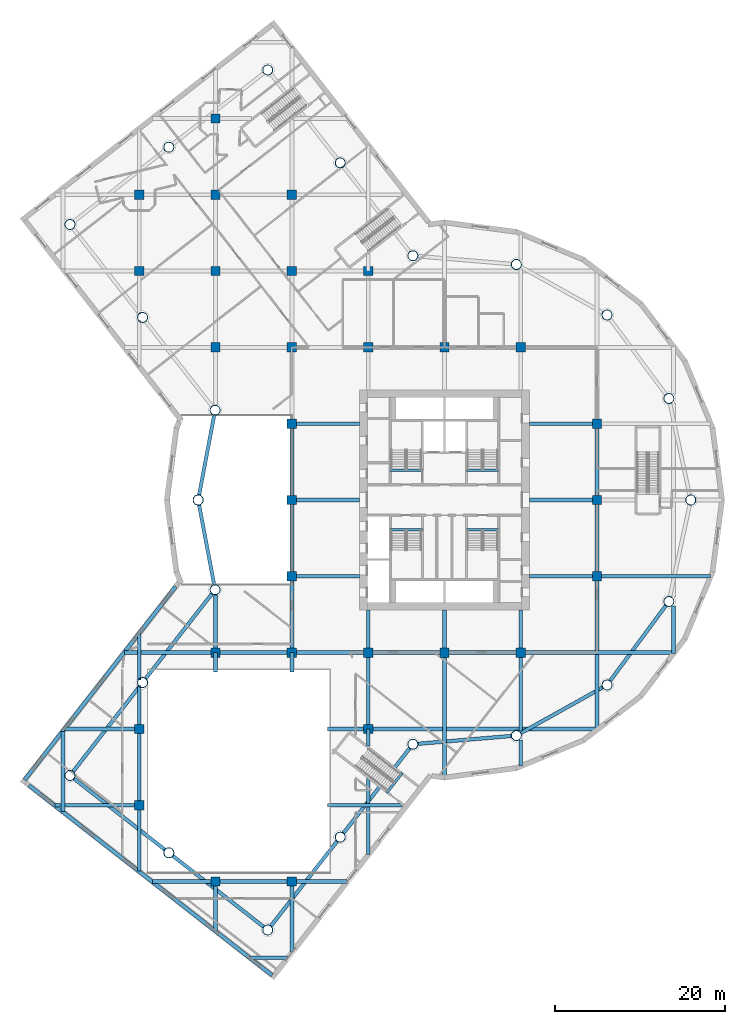
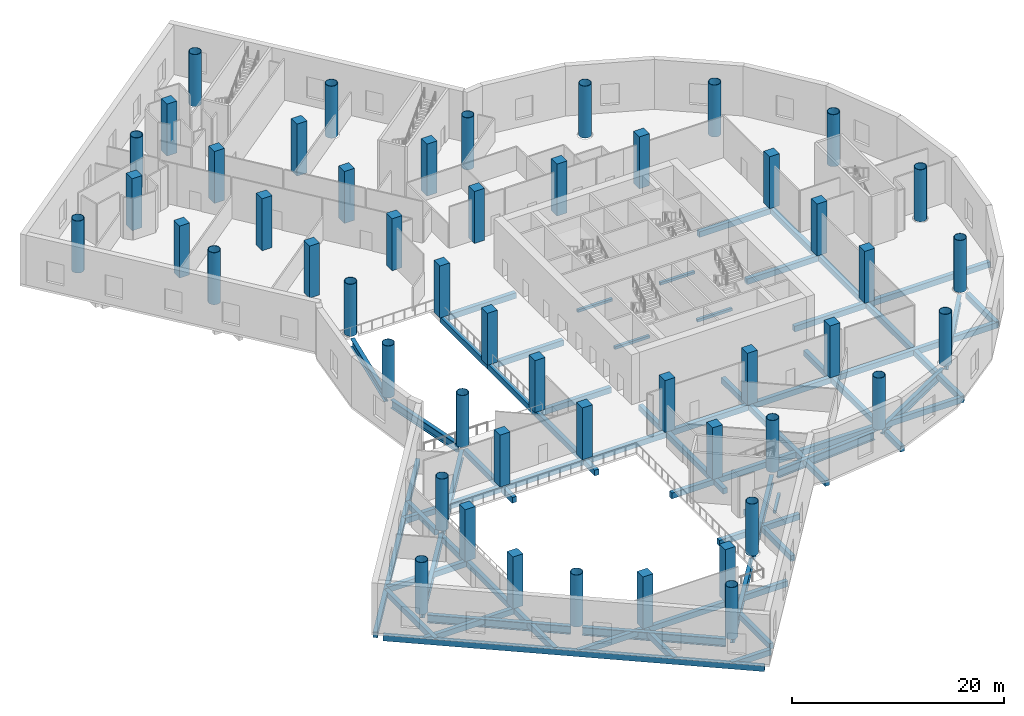
# One storey, part 1 of 24: 66 beams, 51 columns.
"""IFC4 building model written with IfcOpenShell, lengths in metres."""

from ifc_helpers import new_model, si_unit, direction, frame, origin, origin_2d, place, context, subcontext, project, spatial, rectangle, hollow_circle, i_section, extrude, material, material_profile, profile_set, type_object, element, save


model = new_model("IFC4")

# Units and contexts
model_context = context("Model", 3, precision=1e-05, world=origin(), true_north=direction((0.0, 1.0)))
body_context = subcontext(model_context, "Body", "Model", "MODEL_VIEW")
ifc_project = project(units=[si_unit("LENGTHUNIT", "METRE"), si_unit("AREAUNIT", "SQUARE_METRE"), si_unit("VOLUMEUNIT", "CUBIC_METRE"), si_unit("PLANEANGLEUNIT", "RADIAN"), si_unit("MASSUNIT", "GRAM", prefix="KILO")], contexts=[model_context])

# Site, building, storey
site_placement = place(None, origin())
site = spatial("IfcSite", under=ifc_project, at=site_placement, CompositionType="ELEMENT")
building_placement = place(site_placement, origin())
building = spatial("IfcBuilding", under=site, at=building_placement, Name="Tarsis Ring Headquarters", CompositionType="ELEMENT")
storey_placement = place(building_placement, frame((0.0, 0.0, 8.0)))
storey = spatial("IfcBuildingStorey", under=building, at=storey_placement, Name="L01", CompositionType="ELEMENT", Elevation=8.0)

# Columns
ifc_material_1 = material(Name="Concrete C60/75", Category="concrete")
ifc_material_profile_1 = material_profile(ifc_material_1, rectangle(XDim=1.10009765625, YDim=1.10009765625, at=origin_2d()), Name="PO-C1100")
ifc_profile_set_1 = profile_set([ifc_material_profile_1], Name="Concrete C60/75")
column_type_1 = type_object("IfcColumnType", Name="PO-C1100", PredefinedType="COLUMN", material=ifc_profile_set_1)
for number, where, z_axis, x_axis, name in (
    (1, (-36.0, -36.0, 0.0), (0.0, 0.0, 1.0), (1.0, 0.0, 0.0), "L01 column 1"),
    (2, (-36.0, -27.0, 0.0), (0.0, 0.0, 1.0), (1.0, 0.0, 0.0), "L01 column 2"),
    (3, (-36.0, 27.0, 0.0), (0.0, 0.0, 1.0), (1.0, 0.0, 0.0), "L01 column 3"),
    (4, (-36.0, 36.0, 0.0), (0.0, 0.0, 1.0), (1.0, 0.0, 0.0), "L01 column 4"),
    (5, (-27.0, -45.0, 0.0), (0.0, 0.0, 1.0), (1.0, 0.0, 0.0), "L01 column 5"),
    (6, (-27.0, -18.0, 0.0), (0.0, 0.0, 1.0), (1.0, 0.0, 0.0), "L01 column 6"),
    (7, (-27.0, 18.0, 0.0), (0.0, 0.0, 1.0), (1.0, 0.0, 0.0), "L01 column 7"),
    (8, (-27.0, 27.0, 0.0), (0.0, 0.0, 1.0), (1.0, 0.0, 0.0), "L01 column 8"),
    (9, (-27.0, 36.0, 0.0), (0.0, 0.0, 1.0), (1.0, 0.0, 0.0), "L01 column 9"),
    (10, (-27.0, 45.0, 0.0), (0.0, 0.0, 1.0), (1.0, 0.0, 0.0), "L01 column 10"),
    (11, (-18.0, -45.0, 0.0), (0.0, 0.0, 1.0), (1.0, 0.0, 0.0), "L01 column 11"),
    (12, (-18.0, -18.0, 0.0), (0.0, 0.0, 1.0), (1.0, 0.0, 0.0), "L01 column 12"),
    (13, (-18.0, -9.0, 0.0), (0.0, 0.0, 1.0), (1.0, 0.0, 0.0), "L01 column 13"),
    (14, (-18.0, 0.0, 0.0), (0.0, 0.0, 1.0), (1.0, 0.0, 0.0), "L01 column 14"),
    (15, (-18.0, 9.0, 0.0), (0.0, 0.0, 1.0), (1.0, 0.0, 0.0), "L01 column 15"),
    (16, (-18.0, 18.0, 0.0), (0.0, 0.0, 1.0), (1.0, 0.0, 0.0), "L01 column 16"),
    (17, (-18.0, 27.0, 0.0), (0.0, 0.0, 1.0), (1.0, 0.0, 0.0), "L01 column 17"),
    (18, (-18.0, 36.0, 0.0), (0.0, 0.0, 1.0), (1.0, 0.0, 0.0), "L01 column 18"),
    (19, (-9.0, -27.0, 0.0), (0.0, 0.0, 1.0), (1.0, 0.0, 0.0), "L01 column 19"),
    (20, (-9.0, -18.0, 0.0), (0.0, 0.0, 1.0), (1.0, 0.0, 0.0), "L01 column 20"),
    (21, (-9.0, 18.0, 0.0), (0.0, 0.0, 1.0), (1.0, 0.0, 0.0), "L01 column 21"),
    (22, (-9.0, 27.0, 0.0), (0.0, 0.0, 1.0), (1.0, 0.0, 0.0), "L01 column 22"),
    (23, (0.0, -18.0, 0.0), (0.0, 0.0, 1.0), (1.0, 0.0, 0.0), "L01 column 23"),
    (24, (0.0, 18.0, 0.0), (0.0, 0.0, 1.0), (1.0, 0.0, 0.0), "L01 column 24"),
    (25, (9.0, -18.0, 0.0), (0.0, 0.0, 1.0), (1.0, 0.0, 0.0), "L01 column 25"),
    (26, (9.0, 18.0, 0.0), (0.0, 0.0, 1.0), (1.0, 0.0, 0.0), "L01 column 26"),
    (27, (18.0, -9.0, 0.0), (0.0, 0.0, 1.0), (1.0, 0.0, 0.0), "L01 column 27"),
    (28, (18.0, 0.0, 0.0), (0.0, 0.0, 1.0), (1.0, 0.0, 0.0), "L01 column 28"),
    (29, (18.0, 9.0, 0.0), (0.0, 0.0, 1.0), (1.0, 0.0, 0.0), "L01 column 29"),
):
    element("IfcColumn", number, at=place(storey_placement, frame(where, z_axis=z_axis, x_axis=x_axis)), inside=storey, type_object=column_type_1, Name=name, PredefinedType="COLUMN", context=body_context, shape_type="SweptSolid", body=[
        extrude(rectangle(XDim=1.10009765625, YDim=1.10009765625, at=origin_2d()), origin(), (0.0, 0.0, 1.0), 6.0),
    ])
ifc_material_2 = material(Name="Structural steel S460", Category="steel")
ifc_material_profile_2 = material_profile(ifc_material_2, hollow_circle(Radius=0.609619140625, WallThickness=0.050048828125, at=origin_2d()), Name="CHS 1219x50")
ifc_profile_set_2 = profile_set([ifc_material_profile_2], Name="Structural steel S460")
column_type_2 = type_object("IfcColumnType", Name="XC Exo column CHS 1219x50", PredefinedType="COLUMN", material=ifc_profile_set_2)
for number, where, z_axis, x_axis, name in (
    (30, (-29.048583984375, 0.0, 0.000244140625), (0.0, 0.0, 1.0), (1.0, 0.0, 0.0), "Exo column XC1 F1"),
    (31, (-27.05126953125, -10.5849609375, 0.000244140625), (0.0, 0.0, 1.0), (1.0, 0.0, 0.0), "Exo column XC1 AK"),
    (32, (-35.6103515625, -21.5400390625, 0.000244140625), (0.0, 0.0, 1.0), (1.0, 0.0, 0.0), "Exo column XC1 AI1"),
    (33, (-44.16943359375, -32.4951171875, 0.000244140625), (0.0, 0.0, 1.0), (1.0, 0.0, 0.0), "Exo column XC1 AT1"),
    (34, (-32.5068359375, -41.60693359375, 0.000244140625), (0.0, 0.0, 1.0), (1.0, 0.0, 0.0), "Exo column XC1 AT2"),
    (35, (-20.844482421875, -50.71875, 0.000244140625), (0.0, 0.0, 1.0), (1.0, 0.0, 0.0), "Exo column XC1 AT3"),
    (36, (-12.285400390625, -39.763671875, 0.000244140625), (0.0, 0.0, 1.0), (1.0, 0.0, 0.0), "Exo column XC1 AO1"),
    (37, (-3.726318359375, -28.80859375, 0.000244140625), (0.0, 0.0, 1.0), (1.0, 0.0, 0.0), "Exo column XC1 AJ"),
    (38, (8.479736328125, -27.783203125, 0.000244140625), (0.0, 0.0, 1.0), (1.0, 0.0, 0.0), "Exo column XC1 R1"),
    (39, (19.177734375, -21.818115234375, 0.000244140625), (0.0, 0.0, 1.0), (1.0, 0.0, 0.0), "Exo column XC1 R2"),
    (40, (26.466064453125, -11.9736328125, 0.000244140625), (0.0, 0.0, 1.0), (1.0, 0.0, 0.0), "Exo column XC1 R3"),
    (41, (29.048583984375, 0.0, 0.000244140625), (0.0, 0.0, 1.0), (1.0, 0.0, 0.0), "Exo column XC1 R4"),
    (42, (26.466064453125, 11.9736328125, 0.000244140625), (0.0, 0.0, 1.0), (1.0, 0.0, 0.0), "Exo column XC1 R5"),
    (43, (19.177734375, 21.818115234375, 0.000244140625), (0.0, 0.0, 1.0), (1.0, 0.0, 0.0), "Exo column XC1 R6"),
    (44, (8.479736328125, 27.783203125, 0.000244140625), (0.0, 0.0, 1.0), (1.0, 0.0, 0.0), "Exo column XC1 R7"),
    (45, (-3.726318359375, 28.80859375, 0.000244140625), (0.0, 0.0, 1.0), (1.0, 0.0, 0.0), "Exo column XC1 BJ"),
    (46, (-12.285400390625, 39.763671875, 0.000244140625), (0.0, 0.0, 1.0), (1.0, 0.0, 0.0), "Exo column XC1 BO1"),
    (47, (-20.844482421875, 50.71875, 0.000244140625), (0.0, 0.0, 1.0), (1.0, 0.0, 0.0), "Exo column XC1 BT3"),
    (48, (-32.5068359375, 41.60693359375, 0.000244140625), (0.0, 0.0, 1.0), (1.0, 0.0, 0.0), "Exo column XC1 BT2"),
    (49, (-44.16943359375, 32.4951171875, 0.000244140625), (0.0, 0.0, 1.0), (1.0, 0.0, 0.0), "Exo column XC1 BT1"),
    (50, (-35.6103515625, 21.5400390625, 0.000244140625), (0.0, 0.0, 1.0), (1.0, 0.0, 0.0), "Exo column XC1 BI1"),
    (51, (-27.05126953125, 10.5849609375, 0.000244140625), (0.0, 0.0, 1.0), (1.0, 0.0, 0.0), "Exo column XC1 BK"),
):
    element("IfcColumn", number, at=place(storey_placement, frame(where, z_axis=z_axis, x_axis=x_axis)), inside=storey, type_object=column_type_2, Name=name, PredefinedType="COLUMN", context=body_context, shape_type="SweptSolid", body=[
        extrude(hollow_circle(Radius=0.609619140625, WallThickness=0.050048828125, at=origin_2d()), origin(), (0.0, 0.0, 1.0), 5.99951171875),
    ])

# Beams
ifc_material_3 = material(Name="Concrete C40/50", Category="concrete")
ifc_material_profile_3 = material_profile(ifc_material_3, rectangle(XDim=0.449951171875, YDim=0.64990234375, at=origin_2d()), Name="PO-B450")
ifc_profile_set_3 = profile_set([ifc_material_profile_3], Name="Concrete C40/50")
beam_type_1 = type_object("IfcBeamType", Name="PO-B450", PredefinedType="BEAM", material=ifc_profile_set_3)
beam_1_placement = place(storey_placement, frame((-45.0, -36.73193359375, -0.574951171875), z_axis=(0.0, 1.0, 0.0), x_axis=(-1.0, 0.0, 0.0)))
element("IfcBeam", 52, at=beam_1_placement, inside=storey, type_object=beam_type_1, Name="L01 floor beam 1", PredefinedType="BEAM", context=body_context, shape_type="SweptSolid", body=[
    extrude(rectangle(XDim=0.449951171875, YDim=0.64990234375, at=origin_2d()), origin(), (0.0, 0.0, 1.0), 9.42724609375),
])
beam_2_placement = place(storey_placement, frame((-36.0, -43.763671875, -0.574951171875), z_axis=(0.0, 1.0, 0.0), x_axis=(-1.0, 0.0, 0.0)))
element("IfcBeam", 53, at=beam_2_placement, inside=storey, type_object=beam_type_1, Name="L01 floor beam 3", PredefinedType="BEAM", context=body_context, shape_type="SweptSolid", body=[
    extrude(rectangle(XDim=0.449951171875, YDim=0.64990234375, at=origin_2d()), origin(), (0.0, 0.0, 1.0), 7.763671875),
])
beam_3_placement = place(storey_placement, frame((-36.0, -36.0, -0.574951171875), z_axis=(0.0, 1.0, 0.0), x_axis=(-1.0, 0.0, 0.0)))
element("IfcBeam", 54, at=beam_3_placement, inside=storey, type_object=beam_type_1, Name="L01 floor beam 4", PredefinedType="BEAM", context=body_context, shape_type="SweptSolid", body=[
    extrude(rectangle(XDim=0.449951171875, YDim=0.64990234375, at=origin_2d()), origin(), (0.0, 0.0, 1.0), 9.0),
])
beam_4_placement = place(storey_placement, frame((-36.0, -27.0, -0.574951171875), z_axis=(0.0, 1.0, 0.0), x_axis=(-1.0, 0.0, 0.0)))
element("IfcBeam", 55, at=beam_4_placement, inside=storey, type_object=beam_type_1, Name="L01 floor beam 5", PredefinedType="BEAM", context=body_context, shape_type="SweptSolid", body=[
    extrude(rectangle(XDim=0.449951171875, YDim=0.64990234375, at=origin_2d()), origin(), (0.0, 0.0, 1.0), 5.146484375),
])
beam_5_placement = place(storey_placement, frame((-36.0, -21.2265625, -0.574951171875), z_axis=(0.0, 1.0, 0.0), x_axis=(-1.0, 0.0, 0.0)))
element("IfcBeam", 56, at=beam_5_placement, inside=storey, type_object=beam_type_1, Name="L01 floor beam 6", PredefinedType="BEAM", context=body_context, shape_type="SweptSolid", body=[
    extrude(rectangle(XDim=0.449951171875, YDim=0.64990234375, at=origin_2d()), origin(), (0.0, 0.0, 1.0), 5.44140625),
])
beam_6_placement = place(storey_placement, frame((-27.0, -50.795166015625, -0.574951171875), z_axis=(0.0, 1.0, 0.0), x_axis=(-1.0, 0.0, 0.0)))
element("IfcBeam", 57, at=beam_6_placement, inside=storey, type_object=beam_type_1, Name="L01 floor beam 11", PredefinedType="BEAM", context=body_context, shape_type="SweptSolid", body=[
    extrude(rectangle(XDim=0.449951171875, YDim=0.64990234375, at=origin_2d()), origin(), (0.0, 0.0, 1.0), 5.795166015625),
])
beam_7_placement = place(storey_placement, frame((-27.0, -20.300048828125, -0.574951171875), z_axis=(0.0, 1.0, 0.0), x_axis=(-1.0, 0.0, 0.0)))
element("IfcBeam", 58, at=beam_7_placement, inside=storey, type_object=beam_type_1, Name="L01 floor beam 12", PredefinedType="BEAM", context=body_context, shape_type="SweptSolid", body=[
    extrude(rectangle(XDim=0.449951171875, YDim=0.64990234375, at=origin_2d()), origin(), (0.0, 0.0, 1.0), 2.300048828125),
])
beam_8_placement = place(storey_placement, frame((-27.0, -18.0, -0.574951171875), z_axis=(0.0, 1.0, 0.0), x_axis=(-1.0, 0.0, 0.0)))
element("IfcBeam", 59, at=beam_8_placement, inside=storey, type_object=beam_type_1, Name="L01 floor beam 13", PredefinedType="BEAM", context=body_context, shape_type="SweptSolid", body=[
    extrude(rectangle(XDim=0.449951171875, YDim=0.64990234375, at=origin_2d()), origin(), (0.0, 0.0, 1.0), 6.917724609375),
])
beam_9_placement = place(storey_placement, frame((-18.0, -53.33154296875, -0.574951171875), z_axis=(0.0, 1.0, 0.0), x_axis=(-1.0, 0.0, 0.0)))
element("IfcBeam", 60, at=beam_9_placement, inside=storey, type_object=beam_type_1, Name="L01 floor beam 19", PredefinedType="BEAM", context=body_context, shape_type="SweptSolid", body=[
    extrude(rectangle(XDim=0.449951171875, YDim=0.64990234375, at=origin_2d()), origin(), (0.0, 0.0, 1.0), 8.33154296875),
])
beam_10_placement = place(storey_placement, frame((-18.0, -20.300048828125, -0.574951171875), z_axis=(0.0, 1.0, 0.0), x_axis=(-1.0, 0.0, 0.0)))
element("IfcBeam", 61, at=beam_10_placement, inside=storey, type_object=beam_type_1, Name="L01 floor beam 20", PredefinedType="BEAM", context=body_context, shape_type="SweptSolid", body=[
    extrude(rectangle(XDim=0.449951171875, YDim=0.64990234375, at=origin_2d()), origin(), (0.0, 0.0, 1.0), 2.300048828125),
])
for number, where, z_axis, x_axis, name in (
    (62, (-18.0, -18.0, -0.574951171875), (0.0, 1.0, 0.0), (-1.0, 0.0, 0.0), "L01 floor beam 21"),
    (63, (-18.0, -9.0, -0.574951171875), (0.0, 1.0, 0.0), (-1.0, 0.0, 0.0), "L01 floor beam 22"),
    (64, (-18.0, 0.0, -0.574951171875), (0.0, 1.0, 0.0), (-1.0, 0.0, 0.0), "L01 floor beam 23"),
):
    element("IfcBeam", number, at=place(storey_placement, frame(where, z_axis=z_axis, x_axis=x_axis)), inside=storey, type_object=beam_type_1, Name=name, PredefinedType="BEAM", context=body_context, shape_type="SweptSolid", body=[
        extrude(rectangle(XDim=0.449951171875, YDim=0.64990234375, at=origin_2d()), origin(), (0.0, 0.0, 1.0), 9.0),
    ])
beam_11_placement = place(storey_placement, frame((-9.0, -41.81201171875, -0.574951171875), z_axis=(0.0, 1.0, 0.0), x_axis=(-1.0, 0.0, 0.0)))
element("IfcBeam", 65, at=beam_11_placement, inside=storey, type_object=beam_type_1, Name="L01 floor beam 29", PredefinedType="BEAM", context=body_context, shape_type="SweptSolid", body=[
    extrude(rectangle(XDim=0.449951171875, YDim=0.64990234375, at=origin_2d()), origin(), (0.0, 0.0, 1.0), 8.939697265625),
])
beam_12_placement = place(storey_placement, frame((-9.0, -29.003173828125, -0.574951171875), z_axis=(0.0, 1.0, 0.0), x_axis=(-1.0, 0.0, 0.0)))
element("IfcBeam", 66, at=beam_12_placement, inside=storey, type_object=beam_type_1, Name="L01 floor beam 30", PredefinedType="BEAM", context=body_context, shape_type="SweptSolid", body=[
    extrude(rectangle(XDim=0.449951171875, YDim=0.64990234375, at=origin_2d()), origin(), (0.0, 0.0, 1.0), 2.003173828125),
])
beam_13_placement = place(storey_placement, frame((-9.0, -27.0, -0.574951171875), z_axis=(0.0, 1.0, 0.0), x_axis=(-1.0, 0.0, 0.0)))
element("IfcBeam", 67, at=beam_13_placement, inside=storey, type_object=beam_type_1, Name="L01 floor beam 31", PredefinedType="BEAM", context=body_context, shape_type="SweptSolid", body=[
    extrude(rectangle(XDim=0.449951171875, YDim=0.64990234375, at=origin_2d()), origin(), (0.0, 0.0, 1.0), 9.0),
])
beam_14_placement = place(storey_placement, frame((-9.0, -18.0, -0.574951171875), z_axis=(0.0, 1.0, 0.0), x_axis=(-1.0, 0.0, 0.0)))
element("IfcBeam", 68, at=beam_14_placement, inside=storey, type_object=beam_type_1, Name="L01 floor beam 32", PredefinedType="BEAM", context=body_context, shape_type="SweptSolid", body=[
    extrude(rectangle(XDim=0.449951171875, YDim=0.64990234375, at=origin_2d()), origin(), (0.0, 0.0, 1.0), 5.0),
])
beam_15_placement = place(storey_placement, frame((0.0, -32.70458984375, -0.574951171875), z_axis=(0.0, 1.0, 0.0), x_axis=(-1.0, 0.0, 0.0)))
element("IfcBeam", 69, at=beam_15_placement, inside=storey, type_object=beam_type_1, Name="L01 floor beam 37", PredefinedType="BEAM", context=body_context, shape_type="SweptSolid", body=[
    extrude(rectangle(XDim=0.449951171875, YDim=0.64990234375, at=origin_2d()), origin(), (0.0, 0.0, 1.0), 14.70458984375),
])
beam_16_placement = place(storey_placement, frame((0.0, -18.0, -0.574951171875), z_axis=(0.0, 1.0, 0.0), x_axis=(-1.0, 0.0, 0.0)))
element("IfcBeam", 70, at=beam_16_placement, inside=storey, type_object=beam_type_1, Name="L01 floor beam 38", PredefinedType="BEAM", context=body_context, shape_type="SweptSolid", body=[
    extrude(rectangle(XDim=0.449951171875, YDim=0.64990234375, at=origin_2d()), origin(), (0.0, 0.0, 1.0), 5.0),
])
beam_17_placement = place(storey_placement, frame((9.0, -31.371337890625, -0.574951171875), z_axis=(0.0, 1.0, 0.0), x_axis=(-1.0, 0.0, 0.0)))
element("IfcBeam", 71, at=beam_17_placement, inside=storey, type_object=beam_type_1, Name="L01 floor beam 41", PredefinedType="BEAM", context=body_context, shape_type="SweptSolid", body=[
    extrude(rectangle(XDim=0.449951171875, YDim=0.64990234375, at=origin_2d()), origin(), (0.0, 0.0, 1.0), 3.050048828125),
])
beam_18_placement = place(storey_placement, frame((9.0, -27.245361328125, -0.574951171875), z_axis=(0.0, 1.0, 0.0), x_axis=(-1.0, 0.0, 0.0)))
element("IfcBeam", 72, at=beam_18_placement, inside=storey, type_object=beam_type_1, Name="L01 floor beam 42", PredefinedType="BEAM", context=body_context, shape_type="SweptSolid", body=[
    extrude(rectangle(XDim=0.449951171875, YDim=0.64990234375, at=origin_2d()), origin(), (0.0, 0.0, 1.0), 9.245361328125),
])
beam_19_placement = place(storey_placement, frame((9.0, -18.0, -0.574951171875), z_axis=(0.0, 1.0, 0.0), x_axis=(-1.0, 0.0, 0.0)))
element("IfcBeam", 73, at=beam_19_placement, inside=storey, type_object=beam_type_1, Name="L01 floor beam 43", PredefinedType="BEAM", context=body_context, shape_type="SweptSolid", body=[
    extrude(rectangle(XDim=0.449951171875, YDim=0.64990234375, at=origin_2d()), origin(), (0.0, 0.0, 1.0), 5.0),
])
beam_20_placement = place(storey_placement, frame((18.0, -27.062255859375, -0.574951171875), z_axis=(0.0, 1.0, 0.0), x_axis=(-1.0, 0.0, 0.0)))
element("IfcBeam", 74, at=beam_20_placement, inside=storey, type_object=beam_type_1, Name="L01 floor beam 47", PredefinedType="BEAM", context=body_context, shape_type="SweptSolid", body=[
    extrude(rectangle(XDim=0.449951171875, YDim=0.64990234375, at=origin_2d()), origin(), (0.0, 0.0, 1.0), 18.062255859375),
])
for number, where, z_axis, x_axis, name in (
    (75, (18.0, -9.0, -0.574951171875), (0.0, 1.0, 0.0), (-1.0, 0.0, 0.0), "L01 floor beam 48"),
    (76, (18.0, 0.0, -0.574951171875), (0.0, 1.0, 0.0), (-1.0, 0.0, 0.0), "L01 floor beam 49"),
):
    element("IfcBeam", number, at=place(storey_placement, frame(where, z_axis=z_axis, x_axis=x_axis)), inside=storey, type_object=beam_type_1, Name=name, PredefinedType="BEAM", context=body_context, shape_type="SweptSolid", body=[
        extrude(rectangle(XDim=0.449951171875, YDim=0.64990234375, at=origin_2d()), origin(), (0.0, 0.0, 1.0), 9.0),
    ])
beam_21_placement = place(storey_placement, frame((27.0, -18.0810546875, -0.574951171875), z_axis=(0.0, 1.0, 0.0), x_axis=(-1.0, 0.0, 0.0)))
element("IfcBeam", 77, at=beam_21_placement, inside=storey, type_object=beam_type_1, Name="L01 floor beam 51", PredefinedType="BEAM", context=body_context, shape_type="SweptSolid", body=[
    extrude(rectangle(XDim=0.449951171875, YDim=0.64990234375, at=origin_2d()), origin(), (0.0, 0.0, 1.0), 5.58203125),
])
beam_22_placement = place(storey_placement, frame((-22.89794921875, -54.0, -0.574951171875), z_axis=(1.0, 0.0, 0.0), x_axis=(0.0, 1.0, 0.0)))
element("IfcBeam", 78, at=beam_22_placement, inside=storey, type_object=beam_type_1, Name="L01 floor beam 54", PredefinedType="BEAM", context=body_context, shape_type="SweptSolid", body=[
    extrude(rectangle(XDim=0.449951171875, YDim=0.64990234375, at=origin_2d()), origin(), (0.0, 0.0, 1.0), 4.375732421875),
])
beam_23_placement = place(storey_placement, frame((-34.41748046875, -45.0, -0.574951171875), z_axis=(1.0, 0.0, 0.0), x_axis=(0.0, 1.0, 0.0)))
element("IfcBeam", 79, at=beam_23_placement, inside=storey, type_object=beam_type_1, Name="L01 floor beam 55", PredefinedType="BEAM", context=body_context, shape_type="SweptSolid", body=[
    extrude(rectangle(XDim=0.449951171875, YDim=0.64990234375, at=origin_2d()), origin(), (0.0, 0.0, 1.0), 7.41748046875),
])
beam_24_placement = place(storey_placement, frame((-27.0, -45.0, -0.574951171875), z_axis=(1.0, 0.0, 0.0), x_axis=(0.0, 1.0, 0.0)))
element("IfcBeam", 80, at=beam_24_placement, inside=storey, type_object=beam_type_1, Name="L01 floor beam 56", PredefinedType="BEAM", context=body_context, shape_type="SweptSolid", body=[
    extrude(rectangle(XDim=0.449951171875, YDim=0.64990234375, at=origin_2d()), origin(), (0.0, 0.0, 1.0), 9.0),
])
beam_25_placement = place(storey_placement, frame((-18.0, -45.0, -0.574951171875), z_axis=(1.0, 0.0, 0.0), x_axis=(0.0, 1.0, 0.0)))
element("IfcBeam", 81, at=beam_25_placement, inside=storey, type_object=beam_type_1, Name="L01 floor beam 57", PredefinedType="BEAM", context=body_context, shape_type="SweptSolid", body=[
    extrude(rectangle(XDim=0.449951171875, YDim=0.64990234375, at=origin_2d()), origin(), (0.0, 0.0, 1.0), 6.50927734375),
])
beam_26_placement = place(storey_placement, frame((-45.93701171875, -36.0, -0.574951171875), z_axis=(1.0, 0.0, 0.0), x_axis=(0.0, 1.0, 0.0)))
element("IfcBeam", 82, at=beam_26_placement, inside=storey, type_object=beam_type_1, Name="L01 floor beam 58", PredefinedType="BEAM", context=body_context, shape_type="SweptSolid", body=[
    extrude(rectangle(XDim=0.449951171875, YDim=0.64990234375, at=origin_2d()), origin(), (0.0, 0.0, 1.0), 9.93701171875),
])
beam_27_placement = place(storey_placement, frame((-13.800048828125, -36.0, -0.574951171875), z_axis=(1.0, 0.0, 0.0), x_axis=(0.0, 1.0, 0.0)))
element("IfcBeam", 83, at=beam_27_placement, inside=storey, type_object=beam_type_1, Name="L01 floor beam 59", PredefinedType="BEAM", context=body_context, shape_type="SweptSolid", body=[
    extrude(rectangle(XDim=0.449951171875, YDim=0.64990234375, at=origin_2d()), origin(), (0.0, 0.0, 1.0), 8.806884765625),
])
beam_28_placement = place(storey_placement, frame((-44.761962890625, -27.0, -0.574951171875), z_axis=(1.0, 0.0, 0.0), x_axis=(0.0, 1.0, 0.0)))
element("IfcBeam", 84, at=beam_28_placement, inside=storey, type_object=beam_type_1, Name="L01 floor beam 60", PredefinedType="BEAM", context=body_context, shape_type="SweptSolid", body=[
    extrude(rectangle(XDim=0.449951171875, YDim=0.64990234375, at=origin_2d()), origin(), (0.0, 0.0, 1.0), 8.761962890625),
])
beam_29_placement = place(storey_placement, frame((-13.800048828125, -27.0, -0.574951171875), z_axis=(1.0, 0.0, 0.0), x_axis=(0.0, 1.0, 0.0)))
element("IfcBeam", 85, at=beam_29_placement, inside=storey, type_object=beam_type_1, Name="L01 floor beam 61", PredefinedType="BEAM", context=body_context, shape_type="SweptSolid", body=[
    extrude(rectangle(XDim=0.449951171875, YDim=0.64990234375, at=origin_2d()), origin(), (0.0, 0.0, 1.0), 4.800048828125),
])
beam_30_placement = place(storey_placement, frame((-9.0, -27.0, -0.574951171875), z_axis=(1.0, 0.0, 0.0), x_axis=(0.0, 1.0, 0.0)))
element("IfcBeam", 86, at=beam_30_placement, inside=storey, type_object=beam_type_1, Name="L01 floor beam 62", PredefinedType="BEAM", context=body_context, shape_type="SweptSolid", body=[
    extrude(rectangle(XDim=0.449951171875, YDim=0.64990234375, at=origin_2d()), origin(), (0.0, 0.0, 1.0), 27.0810546875),
])
beam_31_placement = place(storey_placement, frame((-37.730224609375, -18.0, -0.574951171875), z_axis=(1.0, 0.0, 0.0), x_axis=(0.0, 1.0, 0.0)))
element("IfcBeam", 87, at=beam_31_placement, inside=storey, type_object=beam_type_1, Name="L01 floor beam 63", PredefinedType="BEAM", context=body_context, shape_type="SweptSolid", body=[
    extrude(rectangle(XDim=0.449951171875, YDim=0.64990234375, at=origin_2d()), origin(), (0.0, 0.0, 1.0), 10.730224609375),
])
for number, where, z_axis, x_axis, name in (
    (88, (-27.0, -18.0, -0.574951171875), (1.0, 0.0, 0.0), (0.0, 1.0, 0.0), "L01 floor beam 64"),
    (89, (-18.0, -18.0, -0.574951171875), (1.0, 0.0, 0.0), (0.0, 1.0, 0.0), "L01 floor beam 65"),
    (90, (-9.0, -18.0, -0.574951171875), (1.0, 0.0, 0.0), (0.0, 1.0, 0.0), "L01 floor beam 66"),
    (91, (0.0, -18.0, -0.574951171875), (1.0, 0.0, 0.0), (0.0, 1.0, 0.0), "L01 floor beam 67"),
):
    element("IfcBeam", number, at=place(storey_placement, frame(where, z_axis=z_axis, x_axis=x_axis)), inside=storey, type_object=beam_type_1, Name=name, PredefinedType="BEAM", context=body_context, shape_type="SweptSolid", body=[
        extrude(rectangle(XDim=0.449951171875, YDim=0.64990234375, at=origin_2d()), origin(), (0.0, 0.0, 1.0), 9.0),
    ])
beam_32_placement = place(storey_placement, frame((9.0, -18.0, -0.574951171875), z_axis=(1.0, 0.0, 0.0), x_axis=(0.0, 1.0, 0.0)))
element("IfcBeam", 92, at=beam_32_placement, inside=storey, type_object=beam_type_1, Name="L01 floor beam 68", PredefinedType="BEAM", context=body_context, shape_type="SweptSolid", body=[
    extrude(rectangle(XDim=0.449951171875, YDim=0.64990234375, at=origin_2d()), origin(), (0.0, 0.0, 1.0), 18.062255859375),
])
for number, where, z_axis, x_axis, name in (
    (93, (-18.0, -9.0, -0.574951171875), (1.0, 0.0, 0.0), (0.0, 1.0, 0.0), "L01 floor beam 69"),
    (94, (10.0, -9.0, -0.574951171875), (1.0, 0.0, 0.0), (0.0, 1.0, 0.0), "L01 floor beam 70"),
):
    element("IfcBeam", number, at=place(storey_placement, frame(where, z_axis=z_axis, x_axis=x_axis)), inside=storey, type_object=beam_type_1, Name=name, PredefinedType="BEAM", context=body_context, shape_type="SweptSolid", body=[
        extrude(rectangle(XDim=0.449951171875, YDim=0.64990234375, at=origin_2d()), origin(), (0.0, 0.0, 1.0), 8.0),
    ])
beam_33_placement = place(storey_placement, frame((18.0, -9.0, -0.574951171875), z_axis=(1.0, 0.0, 0.0), x_axis=(0.0, 1.0, 0.0)))
element("IfcBeam", 95, at=beam_33_placement, inside=storey, type_object=beam_type_1, Name="L01 floor beam 71", PredefinedType="BEAM", context=body_context, shape_type="SweptSolid", body=[
    extrude(rectangle(XDim=0.449951171875, YDim=0.64990234375, at=origin_2d()), origin(), (0.0, 0.0, 1.0), 13.371337890625),
])
for number, where, z_axis, x_axis, name in (
    (96, (-18.0, 0.0, -0.574951171875), (1.0, 0.0, 0.0), (0.0, 1.0, 0.0), "L01 floor beam 72"),
    (97, (10.0, 0.0, -0.574951171875), (1.0, 0.0, 0.0), (0.0, 1.0, 0.0), "L01 floor beam 73"),
    (98, (-18.0, 9.0, -0.574951171875), (1.0, 0.0, 0.0), (0.0, 1.0, 0.0), "L01 floor beam 77"),
    (99, (10.0, 9.0, -0.574951171875), (1.0, 0.0, 0.0), (0.0, 1.0, 0.0), "L01 floor beam 78"),
):
    element("IfcBeam", number, at=place(storey_placement, frame(where, z_axis=z_axis, x_axis=x_axis)), inside=storey, type_object=beam_type_1, Name=name, PredefinedType="BEAM", context=body_context, shape_type="SweptSolid", body=[
        extrude(rectangle(XDim=0.449951171875, YDim=0.64990234375, at=origin_2d()), origin(), (0.0, 0.0, 1.0), 8.0),
    ])
beam_34_placement = place(storey_placement, frame((-31.712890625, -10.216796875, -0.574951171875), z_axis=(-0.615662386828, -0.788010041462, 0.0), x_axis=(0.788010041462, -0.615662386828, 0.0)))
element("IfcBeam", 100, at=beam_34_placement, inside=storey, type_object=beam_type_1, Name="L01 shopfront edge beam 6", PredefinedType="BEAM", context=body_context, shape_type="SweptSolid", body=[
    extrude(rectangle(XDim=0.449951171875, YDim=0.64990234375, at=origin_2d()), origin(), (0.0, 0.0, 1.0), 28.9248046875),
])
beam_35_placement = place(storey_placement, frame((-49.013427734375, -33.659912109375, -0.574951171875), z_axis=(0.788009730844, -0.6156627844, 0.0), x_axis=(0.6156627844, 0.788009730844, 0.0)))
element("IfcBeam", 101, at=beam_35_placement, inside=storey, type_object=beam_type_1, Name="L01 shopfront edge beam 7", PredefinedType="BEAM", context=body_context, shape_type="SweptSolid", body=[
    extrude(rectangle(XDim=0.449951171875, YDim=0.64990234375, at=origin_2d()), origin(), (0.0, 0.0, 1.0), 36.400146484375),
])
ifc_material_profile_4 = material_profile(ifc_material_1, rectangle(XDim=0.300048828125, YDim=0.300048828125, at=origin_2d()), Name="PO-SHB300")
ifc_profile_set_4 = profile_set([ifc_material_profile_4], Name="Concrete C60/75")
beam_type_2 = type_object("IfcBeamType", Name="PO-SHB300", PredefinedType="BEAM", material=ifc_profile_set_4)
beam_36_placement = place(storey_placement, frame((-4.955322265625, -32.160400390625, -0.39990234375), z_axis=(-0.615308465652, -0.788286427701, 0.0), x_axis=(0.788286427701, -0.615308465652, 0.0)))
element("IfcBeam", 102, at=beam_36_placement, inside=storey, type_object=beam_type_2, Name="Stair head beam L01 PS2", PredefinedType="BEAM", context=body_context, shape_type="SweptSolid", body=[
    extrude(rectangle(XDim=0.300048828125, YDim=0.300048828125, at=origin_2d()), origin(), (0.0, 0.0, 1.0), 3.050048828125),
])
ifc_material_profile_5 = material_profile(ifc_material_3, rectangle(XDim=0.300048828125, YDim=0.300048828125, at=origin_2d()), Name="Stair head beam 300x300 C40/50")
ifc_profile_set_5 = profile_set([ifc_material_profile_5], Name="Concrete C40/50")
beam_type_3 = type_object("IfcBeamType", Name="Stair head beam 300x300 C40/50", PredefinedType="BEAM", material=ifc_profile_set_5)
for number, where, z_axis, x_axis, name in (
    (103, (-6.39990234375, 3.510009765625, -0.39990234375), (1.0, 0.0, 0.0), (0.0, 1.0, 0.0), "Stair head beam L01 Firefighting stair"),
    (104, (2.60009765625, 3.510009765625, -0.39990234375), (1.0, 0.0, 0.0), (0.0, 1.0, 0.0), "Stair head beam L01 Exit stair B"),
    (105, (-6.39990234375, -3.510009765625, -0.39990234375), (1.0, 0.0, 0.0), (0.0, 1.0, 0.0), "Stair head beam L01 Exit stair C"),
    (106, (2.60009765625, -3.510009765625, -0.39990234375), (1.0, 0.0, 0.0), (0.0, 1.0, 0.0), "Stair head beam L01 Exit stair D"),
):
    element("IfcBeam", number, at=place(storey_placement, frame(where, z_axis=z_axis, x_axis=x_axis)), inside=storey, type_object=beam_type_3, Name=name, PredefinedType="BEAM", context=body_context, shape_type="SweptSolid", body=[
        extrude(rectangle(XDim=0.300048828125, YDim=0.300048828125, at=origin_2d()), origin(), (0.0, 0.0, 1.0), 3.7998046875),
    ])
ifc_material_4 = material(Name="Structural steel S355", Category="steel")
ifc_material_profile_6 = material_profile(ifc_material_4, i_section(OverallWidth=0.42431640625, OverallDepth=0.947509765625, WebThickness=0.02392578125, FlangeThickness=0.042724609375, at=origin_2d()), Name="W36x302")
ifc_profile_set_6 = profile_set([ifc_material_profile_6], Name="Structural steel S355")
beam_type_4 = type_object("IfcBeamType", Name="XG Ring girder W36x302", PredefinedType="BEAM", material=ifc_profile_set_6)
beam_37_placement = place(storey_placement, frame((-28.94677734375, -0.5390625, -0.7236328125), z_axis=(0.185403721267, -0.982662434481, 0.0), x_axis=(0.982662434481, 0.185403721267, 0.0)))
element("IfcBeam", 107, at=beam_37_placement, inside=storey, type_object=beam_type_4, Name="Ring girder XG1", PredefinedType="BEAM", context=body_context, shape_type="SweptSolid", body=[
    extrude(i_section(OverallWidth=0.42431640625, OverallDepth=0.947509765625, WebThickness=0.02392578125, FlangeThickness=0.042724609375, at=origin_2d()), origin(), (0.0, 0.0, 1.0), 9.674560546875),
])
for number, where, z_axis, x_axis, name in (
    (108, (-27.38916015625, -11.017333984375, -0.7236328125), (-0.615666981287, -0.788006451847, 0.0), (0.788006451847, -0.615666981287, 0.0), "Ring girder XG1"),
    (109, (-35.9482421875, -21.972412109375, -0.7236328125), (-0.615666981287, -0.788006451847, 0.0), (0.788006451847, -0.615666981287, 0.0), "Ring girder XG1"),
):
    element("IfcBeam", number, at=place(storey_placement, frame(where, z_axis=z_axis, x_axis=x_axis)), inside=storey, type_object=beam_type_4, Name=name, PredefinedType="BEAM", context=body_context, shape_type="SweptSolid", body=[
        extrude(i_section(OverallWidth=0.42431640625, OverallDepth=0.947509765625, WebThickness=0.02392578125, FlangeThickness=0.042724609375, at=origin_2d()), origin(), (0.0, 0.0, 1.0), 12.804931640625),
    ])
for number, where, z_axis, x_axis, name in (
    (110, (-43.737060546875, -32.8330078125, -0.7236328125), (0.7880081664, -0.615664786785, 0.0), (0.615664786785, 0.7880081664, 0.0), "Ring girder XG1"),
    (111, (-32.07470703125, -41.94482421875, -0.7236328125), (0.788023563374, -0.61564507922, 0.0), (0.61564507922, 0.788023563374, 0.0), "Ring girder XG1"),
):
    element("IfcBeam", number, at=place(storey_placement, frame(where, z_axis=z_axis, x_axis=x_axis)), inside=storey, type_object=beam_type_4, Name=name, PredefinedType="BEAM", context=body_context, shape_type="SweptSolid", body=[
        extrude(i_section(OverallWidth=0.42431640625, OverallDepth=0.947509765625, WebThickness=0.02392578125, FlangeThickness=0.042724609375, at=origin_2d()), origin(), (0.0, 0.0, 1.0), 13.70263671875),
    ])
for number, where, z_axis, x_axis, name in (
    (112, (-20.506591796875, -50.286376953125, -0.7236328125), (0.615666981287, 0.788006451847, 0.0), (-0.788006451847, 0.615666981287, 0.0), "Ring girder XG1"),
    (113, (-11.947509765625, -39.331298828125, -0.7236328125), (0.615666981287, 0.788006451847, 0.0), (-0.788006451847, 0.615666981287, 0.0), "Ring girder XG1"),
):
    element("IfcBeam", number, at=place(storey_placement, frame(where, z_axis=z_axis, x_axis=x_axis)), inside=storey, type_object=beam_type_4, Name=name, PredefinedType="BEAM", context=body_context, shape_type="SweptSolid", body=[
        extrude(i_section(OverallWidth=0.42431640625, OverallDepth=0.947509765625, WebThickness=0.02392578125, FlangeThickness=0.042724609375, at=origin_2d()), origin(), (0.0, 0.0, 1.0), 12.804931640625),
    ])
beam_38_placement = place(storey_placement, frame((-3.179443359375, -28.7626953125, -0.7236328125), z_axis=(0.996489363019, 0.083719468411, 0.0), x_axis=(-0.083719468411, 0.996489363019, 0.0)))
element("IfcBeam", 114, at=beam_38_placement, inside=storey, type_object=beam_type_4, Name="Ring girder XG1", PredefinedType="BEAM", context=body_context, shape_type="SweptSolid", body=[
    extrude(i_section(OverallWidth=0.42431640625, OverallDepth=0.947509765625, WebThickness=0.02392578125, FlangeThickness=0.042724609375, at=origin_2d()), origin(), (0.0, 0.0, 1.0), 11.1513671875),
])
for number, where, z_axis, x_axis, name in (
    (115, (8.958740234375, -27.51611328125, -0.7236328125), (0.873397184148, 0.487008581776, 0.0), (-0.487008581776, 0.873397184148, 0.0), "Ring girder XG1"),
    (116, (19.504150390625, -21.377197265625, -0.7236328125), (0.595024911632, 0.80370725674, 0.0), (-0.80370725674, 0.595024911632, 0.0), "Ring girder XG1"),
):
    element("IfcBeam", number, at=place(storey_placement, frame(where, z_axis=z_axis, x_axis=x_axis)), inside=storey, type_object=beam_type_4, Name=name, PredefinedType="BEAM", context=body_context, shape_type="SweptSolid", body=[
        extrude(i_section(OverallWidth=0.42431640625, OverallDepth=0.947509765625, WebThickness=0.02392578125, FlangeThickness=0.042724609375, at=origin_2d()), origin(), (0.0, 0.0, 1.0), 11.151611328125),
    ])
beam_39_placement = place(storey_placement, frame((-27.153076171875, 10.0458984375, -0.7236328125), z_axis=(-0.185403721267, -0.982662434481, 0.0), x_axis=(0.982662434481, -0.185403721267, 0.0)))
element("IfcBeam", 117, at=beam_39_placement, inside=storey, type_object=beam_type_4, Name="Ring girder XG1", PredefinedType="BEAM", context=body_context, shape_type="SweptSolid", body=[
    extrude(i_section(OverallWidth=0.42431640625, OverallDepth=0.947509765625, WebThickness=0.02392578125, FlangeThickness=0.042724609375, at=origin_2d()), origin(), (0.0, 0.0, 1.0), 9.674560546875),
])

save(model, "model.ifc")
